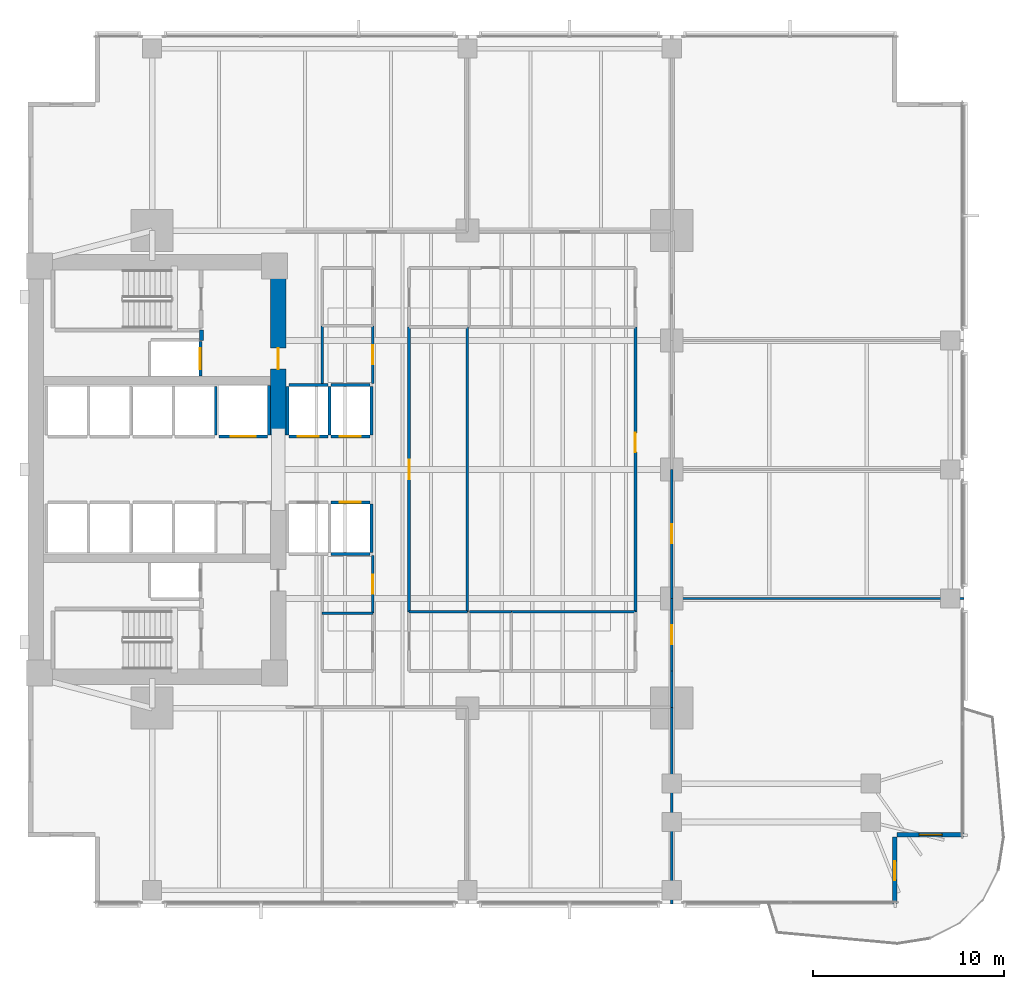
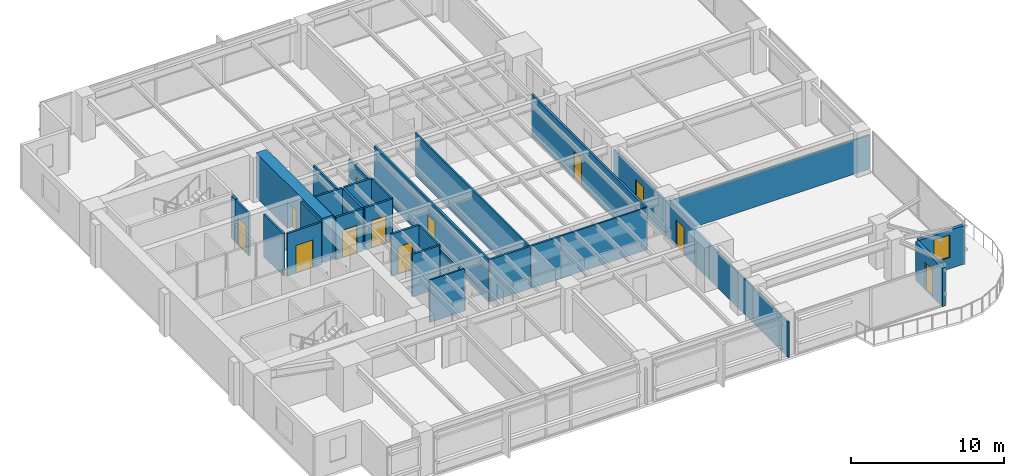
# One storey, part 9 of 15: 33 walls, 13 doors, 1 window, 14 openings.
"""IFC4 building model written with IfcOpenShell, lengths in metres."""

from ifc_helpers import new_model, si_unit, direction, frame, frame_2d, origin, place, context, subcontext, project, spatial, rectangle, extrude, material, layer, layer_set, type_object, element, fill, save


model = new_model("IFC4")

# Units and contexts
model_context = context("Model", 3, precision=1e-05, world=origin(), true_north=direction((0.0, 1.0)))
body_context = subcontext(model_context, "Body", "Model", "MODEL_VIEW")
ifc_project = project(units=[si_unit("LENGTHUNIT", "METRE"), si_unit("AREAUNIT", "SQUARE_METRE"), si_unit("VOLUMEUNIT", "CUBIC_METRE"), si_unit("PLANEANGLEUNIT", "RADIAN"), si_unit("MASSUNIT", "GRAM", prefix="KILO")], contexts=[model_context])

# Site, building, storey
site_placement = place(None, origin())
site = spatial("IfcSite", under=ifc_project, at=site_placement, CompositionType="ELEMENT")
building_placement = place(site_placement, origin())
building = spatial("IfcBuilding", under=site, at=building_placement, Name="Kinhvarn Gate Tower", CompositionType="ELEMENT")
storey_placement = place(building_placement, frame((0.0, 0.0, 29.14990234375)))
storey = spatial("IfcBuildingStorey", under=building, at=storey_placement, Name="L06", CompositionType="ELEMENT", Elevation=29.14990234375)

# Wall, opening, door
ifc_material_1 = material(Name="Concrete C70/85", Category="concrete")
ifc_layer_1 = layer(ifc_material_1, 0.800048828125)
ifc_layer_set_1 = layer_set([ifc_layer_1], Name="Concrete C70/85")
wall_type_1 = type_object("IfcWallType", Name="WL-CORE-800", PredefinedType="SHEAR", material=ifc_layer_set_1)
wall_1_placement = place(storey_placement, frame((17.60009765625, 27.050048828125, 0.0), z_axis=(0.0, 0.0, 1.0), x_axis=(0.0, 1.0, 0.0)))
wall_1 = element("IfcWall", 1, at=wall_1_placement, inside=storey, type_object=wall_type_1, Name="Core East-North Shear Pier L06 800 mm", PredefinedType="SHEAR", context=body_context, shape_type="SweptSolid", body=[
    extrude(rectangle(XDim=8.64990234375, YDim=0.800048828125, at=frame_2d((4.324951171875, 0.0))), origin(), (0.0, 0.0, 1.0), 3.550048828125),
])
opening_1_placement = place(wall_1_placement, frame((3.449951171875, 0.0, 0.0)))
opening_1 = element("IfcOpeningElement", 2, at=opening_1_placement, cuts=wall_1, Name="Opening FD-02", PredefinedType="OPENING", context=body_context, shape_type="SweptSolid", body=[
    extrude(rectangle(XDim=1.10009765625, YDim=2.14990234375, at=frame_2d((0.550048828125, 1.074951171875))), frame((0.0, 0.41015625, 0.0), z_axis=(0.0, -1.0, 0.0), x_axis=(1.0, 0.0, 0.0)), (0.0, 0.0, 1.0), 0.820068359375),
])
ifc_material_2 = material(Name="Anodised aluminium AW-6063", Category="aluminium")
door_type_1 = type_object("IfcDoorType", Name="DR-FD-1100", OperationType="NOTDEFINED", PredefinedType="DOOR", material=ifc_material_2)
door_1_placement = place(opening_1_placement, origin())
door_1 = element("IfcDoor", 3, at=door_1_placement, inside=storey, type_object=door_type_1, Name="Firefighting Lobby Core Door (L06)", OperationType="SINGLE_SWING_LEFT", OverallHeight=2.14990234375, OverallWidth=1.10009765625, PredefinedType="DOOR", context=body_context, shape_type="SweptSolid", body=[
    extrude(rectangle(XDim=1.10009765625, YDim=2.14990234375, at=frame_2d((0.550048828125, 1.074951171875))), frame((0.0, 0.02490234375, 0.0), z_axis=(0.0, -1.0, 0.0), x_axis=(1.0, 0.0, 0.0)), (0.0, 0.0, 1.0), 0.050048828125),
])
fill(opening_1, door_1)

ifc_material_3 = material(Name="Fired architectural terracotta", Category="masonry")
ifc_layer_2 = layer(ifc_material_3, 0.25)
ifc_layer_set_2 = layer_set([ifc_layer_2], Name="Fired architectural terracotta")
wall_type_2 = type_object("IfcWallType", Name="WL-EXT-250", PredefinedType="SOLIDWALL", material=ifc_layer_set_2)
wall_2_placement = place(storey_placement, frame((49.875, 2.5, 0.0), z_axis=(0.0, 0.0, 1.0), x_axis=(0.0, 1.0, 0.0)))
wall_2 = element("IfcWall", 4, at=wall_2_placement, inside=storey, type_object=wall_type_2, Name="Exterior Solidwall Wall EW-250 (L06 SE-Notch-Door)", PredefinedType="SOLIDWALL", context=body_context, shape_type="SweptSolid", body=[
    extrude(rectangle(XDim=3.5, YDim=0.25, at=frame_2d((1.75, 0.0))), origin(), (0.0, 0.0, 1.0), 3.070068359375),
])
opening_2_placement = place(wall_2_placement, frame((1.25, 0.0, 0.0)))
opening_2 = element("IfcOpeningElement", 5, at=opening_2_placement, cuts=wall_2, Name="Opening BD-01", PredefinedType="OPENING", context=body_context, shape_type="SweptSolid", body=[
    extrude(rectangle(XDim=1.0, YDim=2.199951171875, at=frame_2d((0.5, 1.10009765625))), frame((0.0, 0.135009765625, 0.0), z_axis=(0.0, -1.0, 0.0), x_axis=(1.0, 0.0, 0.0)), (0.0, 0.0, 1.0), 0.27001953125),
])
ifc_material_4 = material(Name="Clear low-e double glazing", Category="glass")
door_type_2 = type_object("IfcDoorType", Name="DR-BAL-1000", OperationType="NOTDEFINED", PredefinedType="DOOR", material=ifc_material_4)
door_2_placement = place(opening_2_placement, frame((1.0, 0.0, 0.0), z_axis=(0.0, 0.0, 1.0), x_axis=(-1.0, 0.0, 0.0)))
door_2 = element("IfcDoor", 6, at=door_2_placement, inside=storey, type_object=door_type_2, Name="S-Carve Balcony Door BD-01 (L06)", OperationType="SINGLE_SWING_LEFT", OverallHeight=2.199951171875, OverallWidth=1.0, PredefinedType="DOOR", context=body_context, shape_type="SweptSolid", body=[
    extrude(rectangle(XDim=1.0, YDim=2.199951171875, at=frame_2d((0.5, 1.10009765625))), frame((0.0, 0.02490234375, 0.0), z_axis=(0.0, -1.0, 0.0), x_axis=(1.0, 0.0, 0.0)), (0.0, 0.0, 1.0), 0.050048828125),
])
fill(opening_2, door_2)

# Wall, opening, window
wall_3_placement = place(storey_placement, frame((50.0, 6.125, 0.0), z_axis=(0.0, 0.0, 1.0), x_axis=(1.0, 0.0, 0.0)))
wall_3 = element("IfcWall", 7, at=wall_3_placement, inside=storey, type_object=wall_type_2, Name="Exterior Solidwall Wall EW-250 (L06 SE-Notch-Win)", PredefinedType="SOLIDWALL", context=body_context, shape_type="SweptSolid", body=[
    extrude(rectangle(XDim=3.5, YDim=0.25, at=frame_2d((1.75, 0.0))), origin(), (0.0, 0.0, 1.0), 3.070068359375),
])
opening_3_placement = place(wall_3_placement, frame((1.14990234375, 0.0, 0.89990234375)))
opening_3 = element("IfcOpeningElement", 8, at=opening_3_placement, cuts=wall_3, Name="Opening WN-02", PredefinedType="OPENING", context=body_context, shape_type="SweptSolid", body=[
    extrude(rectangle(XDim=1.199951171875, YDim=1.800048828125, at=frame_2d((0.60009765625, 0.89990234375))), frame((0.0, 0.135009765625, 0.0), z_axis=(0.0, -1.0, 0.0), x_axis=(1.0, 0.0, 0.0)), (0.0, 0.0, 1.0), 0.27001953125),
])
window_type = type_object("IfcWindowType", Name="WIN-NTC-1200", PartitioningType="SINGLE_PANEL", PredefinedType="WINDOW", material=ifc_material_4)
window_placement = place(opening_3_placement, origin())
window = element("IfcWindow", 9, at=window_placement, inside=storey, type_object=window_type, Name="Recessed Corner Notch Punched Window 1200x1800 mm (L06)", OverallHeight=1.800048828125, OverallWidth=1.199951171875, PartitioningType="SINGLE_PANEL", PredefinedType="WINDOW", context=body_context, shape_type="SweptSolid", body=[
    extrude(rectangle(XDim=1.199951171875, YDim=1.800048828125, at=frame_2d((0.60009765625, 0.89990234375))), frame((0.0, 0.030029296875, 0.0), z_axis=(0.0, -1.0, 0.0), x_axis=(1.0, 0.0, 0.0)), (0.0, 0.0, 1.0), 0.06005859375),
])
fill(opening_3, window)

# Walls
ifc_material_5 = material(Name="Gypsum acoustic partition board")
ifc_layer_3 = layer(ifc_material_5, 0.14990234375)
ifc_layer_set_3 = layer_set([ifc_layer_3], Name="Gypsum acoustic partition board")
wall_type_3 = type_object("IfcWallType", Name="WL-PLM-150", PredefinedType="PLUMBINGWALL", material=ifc_layer_set_3)
wall_4_placement = place(storey_placement, frame((24.449951171875, 17.800048828125, 0.0), z_axis=(0.0, 0.0, 1.0), x_axis=(1.0, 0.0, 0.0)))
element("IfcWall", 10, at=wall_4_placement, inside=storey, type_object=wall_type_3, Name="Interior Partition PLW-150 (L06)", PredefinedType="PLUMBINGWALL", context=body_context, shape_type="SweptSolid", body=[
    extrude(rectangle(XDim=3.050048828125, YDim=0.14990234375, at=frame_2d((1.52490234375, 0.0))), origin(), (0.0, 0.0, 1.0), 3.3701171875),
])
wall_5_placement = place(storey_placement, frame((27.60009765625, 17.800048828125, 0.0), z_axis=(0.0, 0.0, 1.0), x_axis=(1.0, 0.0, 0.0)))
element("IfcWall", 11, at=wall_5_placement, inside=storey, type_object=wall_type_3, Name="Interior Partition PLW-150 (L06)", PredefinedType="PLUMBINGWALL", context=body_context, shape_type="SweptSolid", body=[
    extrude(rectangle(XDim=2.199951171875, YDim=0.14990234375, at=frame_2d((1.10009765625, 0.0))), origin(), (0.0, 0.0, 1.0), 3.3701171875),
])
ifc_layer_4 = layer(ifc_material_5, 0.1201171875)
ifc_layer_set_4 = layer_set([ifc_layer_4], Name="Gypsum acoustic partition board")
wall_type_4 = type_object("IfcWallType", Name="WL-PRT-120", PredefinedType="PARTITIONING", material=ifc_layer_set_4)
wall_6_placement = place(storey_placement, frame((19.89990234375, 17.72998046875, 0.0), z_axis=(0.0, 0.0, 1.0), x_axis=(1.0, 0.0, 0.0)))
element("IfcWall", 12, at=wall_6_placement, inside=storey, type_object=wall_type_4, Name="Interior Partition PW-120 (L06)", PredefinedType="PARTITIONING", context=body_context, shape_type="SweptSolid", body=[
    extrude(rectangle(XDim=2.650146484375, YDim=0.1201171875, at=frame_2d((1.3251953125, 0.0))), origin(), (0.0, 0.0, 1.0), 3.3701171875),
])
wall_7_placement = place(storey_placement, frame((29.800048828125, 17.800048828125, 0.0), z_axis=(0.0, 0.0, 1.0), x_axis=(1.0, 0.0, 0.0)))
element("IfcWall", 13, at=wall_7_placement, inside=storey, type_object=wall_type_4, Name="Interior Partition PW-120 (L06)", PredefinedType="PARTITIONING", context=body_context, shape_type="SweptSolid", body=[
    extrude(rectangle(XDim=6.5, YDim=0.1201171875, at=frame_2d((3.25, 0.0))), origin(), (0.0, 0.0, 1.0), 3.3701171875),
])
wall_8_placement = place(storey_placement, frame((27.5, 17.800048828125, 0.0), z_axis=(0.0, 0.0, 1.0), x_axis=(0.0, 1.0, 0.0)))
element("IfcWall", 14, at=wall_8_placement, inside=storey, type_object=wall_type_4, Name="Interior Partition PW-120 (L06)", PredefinedType="PARTITIONING", context=body_context, shape_type="SweptSolid", body=[
    extrude(rectangle(XDim=14.89990234375, YDim=0.1201171875, at=frame_2d((7.449951171875, 0.0))), origin(), (0.0, 0.0, 1.0), 3.3701171875),
])
wall_9_placement = place(storey_placement, frame((38.199951171875, 2.510009765625, 0.0), z_axis=(0.0, 0.0, 1.0), x_axis=(0.0, 1.0, 0.0)))
element("IfcWall", 15, at=wall_9_placement, inside=storey, type_object=wall_type_4, Name="Interior Partition PW-120 (L06)", PredefinedType="PARTITIONING", context=body_context, shape_type="SweptSolid", body=[
    extrude(rectangle(XDim=10.2900390625, YDim=0.1201171875, at=frame_2d((5.14501953125, 0.0))), origin(), (0.0, 0.0, 1.0), 2.820068359375),
])
wall_10_placement = place(storey_placement, frame((38.199951171875, 18.5, 0.0), z_axis=(0.0, 0.0, 1.0), x_axis=(1.0, 0.0, 0.0)))
element("IfcWall", 16, at=wall_10_placement, inside=storey, type_object=wall_type_4, Name="Interior Partition PW-120 (L06)", PredefinedType="PARTITIONING", context=body_context, shape_type="SweptSolid", body=[
    extrude(rectangle(XDim=15.2900390625, YDim=0.1201171875, at=frame_2d((7.64501953125, 0.0))), origin(), (0.0, 0.0, 1.0), 2.72021484375),
])

# Wall, opening, door
ifc_layer_5 = layer(ifc_material_5, 0.14990234375)
ifc_layer_set_5 = layer_set([ifc_layer_5], Name="Gypsum acoustic partition board")
wall_type_5 = type_object("IfcWallType", Name="WL-PRT-150F", PredefinedType="PARTITIONING", material=ifc_layer_set_5)
wall_11_placement = place(storey_placement, frame((22.550048828125, 17.72998046875, 0.0), z_axis=(0.0, 0.0, 1.0), x_axis=(0.0, 1.0, 0.0)))
wall_11 = element("IfcWall", 17, at=wall_11_placement, inside=storey, type_object=wall_type_5, Name="Interior Partition PW-150F (L06)", PredefinedType="PARTITIONING", context=body_context, shape_type="SweptSolid", body=[
    extrude(rectangle(XDim=3.02001953125, YDim=0.14990234375, at=frame_2d((1.510009765625, 0.0))), origin(), (0.0, 0.0, 1.0), 3.010009765625),
])
opening_4_placement = place(wall_11_placement, frame((1.010009765625, 0.0, 0.0)))
opening_4 = element("IfcOpeningElement", 18, at=opening_4_placement, cuts=wall_11, Name="Opening ID-02", PredefinedType="OPENING", context=body_context, shape_type="SweptSolid", body=[
    extrude(rectangle(XDim=1.0, YDim=2.14990234375, at=frame_2d((0.5, 1.074951171875))), frame((0.0, 0.0849609375, 0.0), z_axis=(0.0, -1.0, 0.0), x_axis=(1.0, 0.0, 0.0)), (0.0, 0.0, 1.0), 0.169921875),
])
door_type_3 = type_object("IfcDoorType", Name="DR-INT-1000", OperationType="NOTDEFINED", PredefinedType="DOOR", material=ifc_material_2)
door_3_placement = place(opening_4_placement, origin())
door_3 = element("IfcDoor", 19, at=door_3_placement, inside=storey, type_object=door_type_3, Name="Standard Office & Meeting Room Door 1000x2150 mm (L06)", OperationType="SINGLE_SWING_LEFT", OverallHeight=2.14990234375, OverallWidth=1.0, PredefinedType="DOOR", context=body_context, shape_type="SweptSolid", body=[
    extrude(rectangle(XDim=1.0, YDim=2.14990234375, at=frame_2d((0.5, 1.074951171875))), frame((0.0, 0.02490234375, 0.0), z_axis=(0.0, -1.0, 0.0), x_axis=(1.0, 0.0, 0.0)), (0.0, 0.0, 1.0), 0.050048828125),
])
fill(opening_4, door_3)

wall_12_placement = place(storey_placement, frame((22.550048828125, 29.75, 0.0), z_axis=(0.0, 0.0, 1.0), x_axis=(0.0, 1.0, 0.0)))
wall_12 = element("IfcWall", 20, at=wall_12_placement, inside=storey, type_object=wall_type_5, Name="Interior Partition PW-150F (L06)", PredefinedType="PARTITIONING", context=body_context, shape_type="SweptSolid", body=[
    extrude(rectangle(XDim=3.02001953125, YDim=0.14990234375, at=frame_2d((1.510009765625, 0.0))), origin(), (0.0, 0.0, 1.0), 3.010009765625),
])
opening_5_placement = place(wall_12_placement, frame((1.010009765625, 0.0, 0.0)))
opening_5 = element("IfcOpeningElement", 21, at=opening_5_placement, cuts=wall_12, Name="Opening ID-02", PredefinedType="OPENING", context=body_context, shape_type="SweptSolid", body=[
    extrude(rectangle(XDim=1.0, YDim=2.14990234375, at=frame_2d((0.5, 1.074951171875))), frame((0.0, 0.0849609375, 0.0), z_axis=(0.0, -1.0, 0.0), x_axis=(1.0, 0.0, 0.0)), (0.0, 0.0, 1.0), 0.169921875),
])
door_4_placement = place(opening_5_placement, origin())
door_4 = element("IfcDoor", 22, at=door_4_placement, inside=storey, type_object=door_type_3, Name="Standard Office & Meeting Room Door 1000x2150 mm (L06)", OperationType="SINGLE_SWING_RIGHT", OverallHeight=2.14990234375, OverallWidth=1.0, PredefinedType="DOOR", context=body_context, shape_type="SweptSolid", body=[
    extrude(rectangle(XDim=1.0, YDim=2.14990234375, at=frame_2d((0.5, 1.074951171875))), frame((0.0, 0.02490234375, 0.0), z_axis=(0.0, -1.0, 0.0), x_axis=(1.0, 0.0, 0.0)), (0.0, 0.0, 1.0), 0.050048828125),
])
fill(opening_5, door_4)

wall_13_placement = place(storey_placement, frame((24.449951171875, 17.800048828125, 0.0), z_axis=(0.0, 0.0, 1.0), x_axis=(0.0, 1.0, 0.0)))
wall_13 = element("IfcWall", 23, at=wall_13_placement, inside=storey, type_object=wall_type_5, Name="Interior Partition PW-150F (L06)", PredefinedType="PARTITIONING", context=body_context, shape_type="SweptSolid", body=[
    extrude(rectangle(XDim=14.89990234375, YDim=0.14990234375, at=frame_2d((7.449951171875, 0.0))), origin(), (0.0, 0.0, 1.0), 3.3701171875),
])
opening_6_placement = place(wall_13_placement, frame((6.949951171875, 0.0, 0.0)))
opening_6 = element("IfcOpeningElement", 24, at=opening_6_placement, cuts=wall_13, Name="Opening ID-02", PredefinedType="OPENING", context=body_context, shape_type="SweptSolid", body=[
    extrude(rectangle(XDim=1.0, YDim=2.14990234375, at=frame_2d((0.5, 1.074951171875))), frame((0.0, 0.0849609375, 0.0), z_axis=(0.0, -1.0, 0.0), x_axis=(1.0, 0.0, 0.0)), (0.0, 0.0, 1.0), 0.169921875),
])
door_5_placement = place(opening_6_placement, origin())
door_5 = element("IfcDoor", 25, at=door_5_placement, inside=storey, type_object=door_type_3, Name="Standard Office & Meeting Room Door 1000x2150 mm (L06)", OperationType="SINGLE_SWING_RIGHT", OverallHeight=2.14990234375, OverallWidth=1.0, PredefinedType="DOOR", context=body_context, shape_type="SweptSolid", body=[
    extrude(rectangle(XDim=1.0, YDim=2.14990234375, at=frame_2d((0.5, 1.074951171875))), frame((0.0, 0.02490234375, 0.0), z_axis=(0.0, -1.0, 0.0), x_axis=(1.0, 0.0, 0.0)), (0.0, 0.0, 1.0), 0.050048828125),
])
fill(opening_6, door_5)

# Walls
wall_14_placement = place(storey_placement, frame((19.89990234375, 29.75, 0.0), z_axis=(0.0, 0.0, 1.0), x_axis=(0.0, 1.0, 0.0)))
element("IfcWall", 26, at=wall_14_placement, inside=storey, type_object=wall_type_5, Name="Interior Partition PW-150F (L06)", PredefinedType="PARTITIONING", context=body_context, shape_type="SweptSolid", body=[
    extrude(rectangle(XDim=3.02001953125, YDim=0.14990234375, at=frame_2d((1.510009765625, 0.0))), origin(), (0.0, 0.0, 1.0), 3.3701171875),
])
wall_15_placement = place(storey_placement, frame((38.199951171875, 12.800048828125, 0.0), z_axis=(0.0, 0.0, 1.0), x_axis=(0.0, 1.0, 0.0)))
element("IfcWall", 27, at=wall_15_placement, inside=storey, type_object=wall_type_5, Name="Interior Partition PW-150F (L06)", PredefinedType="PARTITIONING", context=body_context, shape_type="SweptSolid", body=[
    extrude(rectangle(XDim=1.89990234375, YDim=0.14990234375, at=frame_2d((0.949951171875, 0.0))), origin(), (0.0, 0.0, 1.0), 2.820068359375),
])

# Wall, opening, door
wall_16_placement = place(storey_placement, frame((36.300048828125, 17.800048828125, 0.0), z_axis=(0.0, 0.0, 1.0), x_axis=(0.0, 1.0, 0.0)))
wall_16 = element("IfcWall", 28, at=wall_16_placement, inside=storey, type_object=wall_type_5, Name="Interior Partition PW-150F (L06)", PredefinedType="PARTITIONING", context=body_context, shape_type="SweptSolid", body=[
    extrude(rectangle(XDim=14.89990234375, YDim=0.14990234375, at=frame_2d((7.449951171875, 0.0))), origin(), (0.0, 0.0, 1.0), 3.3701171875),
])
opening_7_placement = place(wall_16_placement, frame((8.364013671875, 0.0, 0.0)))
opening_7 = element("IfcOpeningElement", 29, at=opening_7_placement, cuts=wall_16, Name="Opening ID-02", PredefinedType="OPENING", context=body_context, shape_type="SweptSolid", body=[
    extrude(rectangle(XDim=1.0, YDim=2.14990234375, at=frame_2d((0.5, 1.074951171875))), frame((0.0, 0.0849609375, 0.0), z_axis=(0.0, -1.0, 0.0), x_axis=(1.0, 0.0, 0.0)), (0.0, 0.0, 1.0), 0.169921875),
])
door_6_placement = place(opening_7_placement, origin())
door_6 = element("IfcDoor", 30, at=door_6_placement, inside=storey, type_object=door_type_3, Name="Standard Office & Meeting Room Door 1000x2150 mm (L06)", OperationType="SINGLE_SWING_RIGHT", OverallHeight=2.14990234375, OverallWidth=1.0, PredefinedType="DOOR", context=body_context, shape_type="SweptSolid", body=[
    extrude(rectangle(XDim=1.0, YDim=2.14990234375, at=frame_2d((0.5, 1.074951171875))), frame((0.0, 0.02490234375, 0.0), z_axis=(0.0, -1.0, 0.0), x_axis=(1.0, 0.0, 0.0)), (0.0, 0.0, 1.0), 0.050048828125),
])
fill(opening_7, door_6)

wall_17_placement = place(storey_placement, frame((38.199951171875, 14.699951171875, 0.0), z_axis=(0.0, 0.0, 1.0), x_axis=(0.0, 1.0, 0.0)))
wall_17 = element("IfcWall", 31, at=wall_17_placement, inside=storey, type_object=wall_type_5, Name="Interior Partition PW-150F (L06)", PredefinedType="PARTITIONING", context=body_context, shape_type="SweptSolid", body=[
    extrude(rectangle(XDim=3.800048828125, YDim=0.14990234375, at=frame_2d((1.89990234375, 0.0))), origin(), (0.0, 0.0, 1.0), 2.820068359375),
])
opening_8_placement = place(wall_17_placement, frame((1.39990234375, 0.0, 0.0)))
opening_8 = element("IfcOpeningElement", 32, at=opening_8_placement, cuts=wall_17, Name="Opening ID-02", PredefinedType="OPENING", context=body_context, shape_type="SweptSolid", body=[
    extrude(rectangle(XDim=1.0, YDim=2.14990234375, at=frame_2d((0.5, 1.074951171875))), frame((0.0, 0.0849609375, 0.0), z_axis=(0.0, -1.0, 0.0), x_axis=(1.0, 0.0, 0.0)), (0.0, 0.0, 1.0), 0.169921875),
])
door_7_placement = place(opening_8_placement, origin())
door_7 = element("IfcDoor", 33, at=door_7_placement, inside=storey, type_object=door_type_3, Name="Standard Office & Meeting Room Door 1000x2150 mm (L06)", OperationType="SINGLE_SWING_LEFT", OverallHeight=2.14990234375, OverallWidth=1.0, PredefinedType="DOOR", context=body_context, shape_type="SweptSolid", body=[
    extrude(rectangle(XDim=1.0, YDim=2.14990234375, at=frame_2d((0.5, 1.074951171875))), frame((0.0, 0.02490234375, 0.0), z_axis=(0.0, -1.0, 0.0), x_axis=(1.0, 0.0, 0.0)), (0.0, 0.0, 1.0), 0.050048828125),
])
fill(opening_8, door_7)

wall_18_placement = place(storey_placement, frame((38.199951171875, 18.5, 0.0), z_axis=(0.0, 0.0, 1.0), x_axis=(0.0, 1.0, 0.0)))
wall_18 = element("IfcWall", 34, at=wall_18_placement, inside=storey, type_object=wall_type_5, Name="Interior Partition PW-150F (L06)", PredefinedType="PARTITIONING", context=body_context, shape_type="SweptSolid", body=[
    extrude(rectangle(XDim=6.75, YDim=0.14990234375, at=frame_2d((3.375, 0.0))), origin(), (0.0, 0.0, 1.0), 2.820068359375),
])
opening_9_placement = place(wall_18_placement, frame((2.875, 0.0, 0.0)))
opening_9 = element("IfcOpeningElement", 35, at=opening_9_placement, cuts=wall_18, Name="Opening ID-02", PredefinedType="OPENING", context=body_context, shape_type="SweptSolid", body=[
    extrude(rectangle(XDim=1.0, YDim=2.14990234375, at=frame_2d((0.5, 1.074951171875))), frame((0.0, 0.0849609375, 0.0), z_axis=(0.0, -1.0, 0.0), x_axis=(1.0, 0.0, 0.0)), (0.0, 0.0, 1.0), 0.169921875),
])
door_8_placement = place(opening_9_placement, origin())
door_8 = element("IfcDoor", 36, at=door_8_placement, inside=storey, type_object=door_type_3, Name="Standard Office & Meeting Room Door 1000x2150 mm (L06)", OperationType="SINGLE_SWING_RIGHT", OverallHeight=2.14990234375, OverallWidth=1.0, PredefinedType="DOOR", context=body_context, shape_type="SweptSolid", body=[
    extrude(rectangle(XDim=1.0, YDim=2.14990234375, at=frame_2d((0.5, 1.074951171875))), frame((0.0, 0.02490234375, 0.0), z_axis=(0.0, -1.0, 0.0), x_axis=(1.0, 0.0, 0.0)), (0.0, 0.0, 1.0), 0.050048828125),
])
fill(opening_9, door_8)

# Walls
ifc_layer_6 = layer(ifc_material_5, 0.199951171875)
ifc_layer_set_6 = layer_set([ifc_layer_6], Name="Gypsum acoustic partition board")
wall_type_6 = type_object("IfcWallType", Name="WL-PRT-200", PredefinedType="PARTITIONING", material=ifc_layer_set_6)
wall_19_placement = place(storey_placement, frame((13.580078125, 32.0, 0.0), z_axis=(0.0, 0.0, 1.0), x_axis=(0.0, 1.0, 0.0)))
element("IfcWall", 37, at=wall_19_placement, inside=storey, type_object=wall_type_6, Name="Interior Partition PW-200 (L06)", PredefinedType="PARTITIONING", context=body_context, shape_type="SweptSolid", body=[
    extrude(rectangle(XDim=0.5400390625, YDim=0.199951171875, at=frame_2d((0.27001953125, 0.0))), origin(), (0.0, 0.0, 1.0), 3.3701171875),
])
ifc_layer_7 = layer(ifc_material_5, 0.14990234375)
ifc_layer_set_7 = layer_set([ifc_layer_7], Name="Gypsum acoustic partition board")
wall_type_7 = type_object("IfcWallType", Name="WL-SHF-150", PredefinedType="PARTITIONING", material=ifc_layer_set_7)
wall_20_placement = place(storey_placement, frame((20.35009765625, 20.824951171875, 0.0), z_axis=(0.0, 0.0, 1.0), x_axis=(1.0, 0.0, 0.0)))
element("IfcWall", 38, at=wall_20_placement, inside=storey, type_object=wall_type_7, Name="Elevator PL-02 Hoistway Wall S (L06)", PredefinedType="PARTITIONING", context=body_context, shape_type="SweptSolid", body=[
    extrude(rectangle(XDim=2.0498046875, YDim=0.14990234375, at=frame_2d((1.02490234375, 0.0))), origin(), (0.0, 0.0, 1.0), 3.3701171875),
])

# Wall, opening, door
wall_21_placement = place(storey_placement, frame((20.35009765625, 23.52490234375, 0.0), z_axis=(0.0, 0.0, 1.0), x_axis=(1.0, 0.0, 0.0)))
wall_21 = element("IfcWall", 39, at=wall_21_placement, inside=storey, type_object=wall_type_7, Name="Elevator PL-02 Landing Wall (L06)", PredefinedType="PARTITIONING", context=body_context, shape_type="SweptSolid", body=[
    extrude(rectangle(XDim=2.0498046875, YDim=0.14990234375, at=frame_2d((1.02490234375, 0.0))), origin(), (0.0, 0.0, 1.0), 3.3701171875),
])
opening_10_placement = place(wall_21_placement, frame((0.47509765625, 0.0, 0.0)))
opening_10 = element("IfcOpeningElement", 40, at=opening_10_placement, cuts=wall_21, Name="Opening LD-01", PredefinedType="OPENING", context=body_context, shape_type="SweptSolid", body=[
    extrude(rectangle(XDim=1.10009765625, YDim=2.199951171875, at=frame_2d((0.550048828125, 1.10009765625))), frame((0.0, 0.0849609375, 0.0), z_axis=(0.0, -1.0, 0.0), x_axis=(1.0, 0.0, 0.0)), (0.0, 0.0, 1.0), 0.169921875),
])
door_type_4 = type_object("IfcDoorType", Name="DR-LND-PAS", OperationType="NOTDEFINED", PredefinedType="DOOR", material=ifc_material_2)
door_9_placement = place(opening_10_placement, origin())
door_9 = element("IfcDoor", 41, at=door_9_placement, inside=storey, type_object=door_type_4, Name="Elevator PL-02 Sliding Landing Door (L06)", OperationType="DOUBLE_DOOR_SLIDING", OverallHeight=2.199951171875, OverallWidth=1.10009765625, PredefinedType="DOOR", context=body_context, shape_type="SweptSolid", body=[
    extrude(rectangle(XDim=1.10009765625, YDim=2.199951171875, at=frame_2d((0.550048828125, 1.10009765625))), frame((0.0, 0.02490234375, 0.0), z_axis=(0.0, -1.0, 0.0), x_axis=(1.0, 0.0, 0.0)), (0.0, 0.0, 1.0), 0.050048828125),
])
fill(opening_10, door_9)

# Wall
wall_22_placement = place(storey_placement, frame((22.47509765625, 20.89990234375, 0.0), z_axis=(0.0, 0.0, 1.0), x_axis=(0.0, 1.0, 0.0)))
element("IfcWall", 42, at=wall_22_placement, inside=storey, type_object=wall_type_7, Name="Elevator PL-02 Hoistway Wall E (L06)", PredefinedType="PARTITIONING", context=body_context, shape_type="SweptSolid", body=[
    extrude(rectangle(XDim=2.550048828125, YDim=0.14990234375, at=frame_2d((1.27490234375, 0.0))), origin(), (0.0, 0.0, 1.0), 3.3701171875),
])

# Wall, opening, door
wall_23_placement = place(storey_placement, frame((18.14990234375, 26.97509765625, 0.0), z_axis=(0.0, 0.0, 1.0), x_axis=(1.0, 0.0, 0.0)))
wall_23 = element("IfcWall", 43, at=wall_23_placement, inside=storey, type_object=wall_type_7, Name="Elevator PL-03 Landing Wall (L06)", PredefinedType="PARTITIONING", context=body_context, shape_type="SweptSolid", body=[
    extrude(rectangle(XDim=2.050048828125, YDim=0.14990234375, at=frame_2d((1.02490234375, 0.0))), origin(), (0.0, 0.0, 1.0), 3.3701171875),
])
opening_11_placement = place(wall_23_placement, frame((0.47509765625, 0.0, 0.0)))
opening_11 = element("IfcOpeningElement", 44, at=opening_11_placement, cuts=wall_23, Name="Opening LD-01", PredefinedType="OPENING", context=body_context, shape_type="SweptSolid", body=[
    extrude(rectangle(XDim=1.10009765625, YDim=2.199951171875, at=frame_2d((0.550048828125, 1.10009765625))), frame((0.0, 0.0849609375, 0.0), z_axis=(0.0, -1.0, 0.0), x_axis=(1.0, 0.0, 0.0)), (0.0, 0.0, 1.0), 0.169921875),
])
door_10_placement = place(opening_11_placement, origin())
door_10 = element("IfcDoor", 45, at=door_10_placement, inside=storey, type_object=door_type_4, Name="Elevator PL-03 Sliding Landing Door (L06)", OperationType="DOUBLE_DOOR_SLIDING", OverallHeight=2.199951171875, OverallWidth=1.10009765625, PredefinedType="DOOR", context=body_context, shape_type="SweptSolid", body=[
    extrude(rectangle(XDim=1.10009765625, YDim=2.199951171875, at=frame_2d((0.550048828125, 1.10009765625))), frame((0.0, 0.02490234375, 0.0), z_axis=(0.0, -1.0, 0.0), x_axis=(1.0, 0.0, 0.0)), (0.0, 0.0, 1.0), 0.050048828125),
])
fill(opening_11, door_10)

# Walls
wall_24_placement = place(storey_placement, frame((18.14990234375, 29.675048828125, 0.0), z_axis=(0.0, 0.0, 1.0), x_axis=(1.0, 0.0, 0.0)))
element("IfcWall", 46, at=wall_24_placement, inside=storey, type_object=wall_type_7, Name="Elevator PL-03 Hoistway Wall N (L06)", PredefinedType="PARTITIONING", context=body_context, shape_type="SweptSolid", body=[
    extrude(rectangle(XDim=2.050048828125, YDim=0.14990234375, at=frame_2d((1.02490234375, 0.0))), origin(), (0.0, 0.0, 1.0), 3.3701171875),
])
for number, where, z_axis, x_axis, name in (
    (47, (18.074951171875, 27.050048828125, 0.0), (0.0, 0.0, 1.0), (0.0, 1.0, 0.0), "Elevator PL-03 Hoistway Wall W (L06)"),
    (48, (20.27490234375, 27.050048828125, 0.0), (0.0, 0.0, 1.0), (0.0, 1.0, 0.0), "Elevator PL-03 Hoistway Wall E (L06)"),
):
    element("IfcWall", number, at=place(storey_placement, frame(where, z_axis=z_axis, x_axis=x_axis)), inside=storey, type_object=wall_type_7, Name=name, PredefinedType="PARTITIONING", context=body_context, shape_type="SweptSolid", body=[
        extrude(rectangle(XDim=2.550048828125, YDim=0.14990234375, at=frame_2d((1.27490234375, 0.0))), origin(), (0.0, 0.0, 1.0), 3.3701171875),
    ])

# Wall, opening, door
wall_25_placement = place(storey_placement, frame((20.35009765625, 26.97509765625, 0.0), z_axis=(0.0, 0.0, 1.0), x_axis=(1.0, 0.0, 0.0)))
wall_25 = element("IfcWall", 49, at=wall_25_placement, inside=storey, type_object=wall_type_7, Name="Elevator PL-04 Landing Wall (L06)", PredefinedType="PARTITIONING", context=body_context, shape_type="SweptSolid", body=[
    extrude(rectangle(XDim=2.0498046875, YDim=0.14990234375, at=frame_2d((1.02490234375, 0.0))), origin(), (0.0, 0.0, 1.0), 3.3701171875),
])
opening_12_placement = place(wall_25_placement, frame((0.47509765625, 0.0, 0.0)))
opening_12 = element("IfcOpeningElement", 50, at=opening_12_placement, cuts=wall_25, Name="Opening LD-01", PredefinedType="OPENING", context=body_context, shape_type="SweptSolid", body=[
    extrude(rectangle(XDim=1.10009765625, YDim=2.199951171875, at=frame_2d((0.550048828125, 1.10009765625))), frame((0.0, 0.0849609375, 0.0), z_axis=(0.0, -1.0, 0.0), x_axis=(1.0, 0.0, 0.0)), (0.0, 0.0, 1.0), 0.169921875),
])
door_11_placement = place(opening_12_placement, origin())
door_11 = element("IfcDoor", 51, at=door_11_placement, inside=storey, type_object=door_type_4, Name="Elevator PL-04 Sliding Landing Door (L06)", OperationType="DOUBLE_DOOR_SLIDING", OverallHeight=2.199951171875, OverallWidth=1.10009765625, PredefinedType="DOOR", context=body_context, shape_type="SweptSolid", body=[
    extrude(rectangle(XDim=1.10009765625, YDim=2.199951171875, at=frame_2d((0.550048828125, 1.10009765625))), frame((0.0, 0.02490234375, 0.0), z_axis=(0.0, -1.0, 0.0), x_axis=(1.0, 0.0, 0.0)), (0.0, 0.0, 1.0), 0.050048828125),
])
fill(opening_12, door_11)

# Walls
wall_26_placement = place(storey_placement, frame((20.35009765625, 29.675048828125, 0.0), z_axis=(0.0, 0.0, 1.0), x_axis=(1.0, 0.0, 0.0)))
element("IfcWall", 52, at=wall_26_placement, inside=storey, type_object=wall_type_7, Name="Elevator PL-04 Hoistway Wall N (L06)", PredefinedType="PARTITIONING", context=body_context, shape_type="SweptSolid", body=[
    extrude(rectangle(XDim=2.0498046875, YDim=0.14990234375, at=frame_2d((1.02490234375, 0.0))), origin(), (0.0, 0.0, 1.0), 3.3701171875),
])
for number, where, z_axis, x_axis, name in (
    (53, (22.47509765625, 27.050048828125, 0.0), (0.0, 0.0, 1.0), (0.0, 1.0, 0.0), "Elevator PL-04 Hoistway Wall E (L06)"),
    (54, (14.324951171875, 27.050048828125, 0.0), (0.0, 0.0, 1.0), (0.0, 1.0, 0.0), "Elevator PH-12 Hoistway Wall E (L06)"),
):
    element("IfcWall", number, at=place(storey_placement, frame(where, z_axis=z_axis, x_axis=x_axis)), inside=storey, type_object=wall_type_7, Name=name, PredefinedType="PARTITIONING", context=body_context, shape_type="SweptSolid", body=[
        extrude(rectangle(XDim=2.550048828125, YDim=0.14990234375, at=frame_2d((1.27490234375, 0.0))), origin(), (0.0, 0.0, 1.0), 3.3701171875),
    ])

# Wall, opening, door
wall_27_placement = place(storey_placement, frame((14.5, 26.97509765625, 0.0), z_axis=(0.0, 0.0, 1.0), x_axis=(1.0, 0.0, 0.0)))
wall_27 = element("IfcWall", 55, at=wall_27_placement, inside=storey, type_object=wall_type_7, Name="Elevator SV-01 Landing Wall (L06)", PredefinedType="PARTITIONING", context=body_context, shape_type="SweptSolid", body=[
    extrude(rectangle(XDim=2.550048828125, YDim=0.14990234375, at=frame_2d((1.27490234375, 0.0))), origin(), (0.0, 0.0, 1.0), 3.3701171875),
])
opening_13_placement = place(wall_27_placement, frame((0.625, 0.0, 0.0)))
opening_13 = element("IfcOpeningElement", 56, at=opening_13_placement, cuts=wall_27, Name="Opening LD-02", PredefinedType="OPENING", context=body_context, shape_type="SweptSolid", body=[
    extrude(rectangle(XDim=1.300048828125, YDim=2.199951171875, at=frame_2d((0.64990234375, 1.10009765625))), frame((0.0, 0.0849609375, 0.0), z_axis=(0.0, -1.0, 0.0), x_axis=(1.0, 0.0, 0.0)), (0.0, 0.0, 1.0), 0.169921875),
])
door_type_5 = type_object("IfcDoorType", Name="DR-LND-SRV", OperationType="NOTDEFINED", PredefinedType="DOOR", material=ifc_material_2)
door_12_placement = place(opening_13_placement, origin())
door_12 = element("IfcDoor", 57, at=door_12_placement, inside=storey, type_object=door_type_5, Name="Elevator SV-01 Sliding Landing Door (L06)", OperationType="DOUBLE_DOOR_SLIDING", OverallHeight=2.199951171875, OverallWidth=1.300048828125, PredefinedType="DOOR", context=body_context, shape_type="SweptSolid", body=[
    extrude(rectangle(XDim=1.300048828125, YDim=2.199951171875, at=frame_2d((0.64990234375, 1.10009765625))), frame((0.0, 0.02490234375, 0.0), z_axis=(0.0, -1.0, 0.0), x_axis=(1.0, 0.0, 0.0)), (0.0, 0.0, 1.0), 0.050048828125),
])
fill(opening_13, door_12)

# Wall
wall_28_placement = place(storey_placement, frame((17.125, 27.050048828125, 0.0), z_axis=(0.0, 0.0, 1.0), x_axis=(0.0, 1.0, 0.0)))
element("IfcWall", 58, at=wall_28_placement, inside=storey, type_object=wall_type_7, Name="Elevator SV-01 Hoistway Wall E (L06)", PredefinedType="PARTITIONING", context=body_context, shape_type="SweptSolid", body=[
    extrude(rectangle(XDim=2.599853515625, YDim=0.14990234375, at=frame_2d((1.2998046875, 0.0))), origin(), (0.0, 0.0, 1.0), 3.3701171875),
])

# Wall, opening, door
wall_29_placement = place(storey_placement, frame((13.52490234375, 30.14990234375, 0.0), z_axis=(0.0, 0.0, 1.0), x_axis=(0.0, 1.0, 0.0)))
wall_29 = element("IfcWall", 59, at=wall_29_placement, inside=storey, type_object=wall_type_7, Name="Elevator FF2 Landing Wall (L06)", PredefinedType="PARTITIONING", context=body_context, shape_type="SweptSolid", body=[
    extrude(rectangle(XDim=1.800048828125, YDim=0.14990234375, at=frame_2d((0.89990234375, 0.0))), origin(), (0.0, 0.0, 1.0), 3.3701171875),
])
opening_14_placement = place(wall_29_placement, frame((0.35009765625, 0.0, 0.0)))
opening_14 = element("IfcOpeningElement", 60, at=opening_14_placement, cuts=wall_29, Name="Opening LD-03", PredefinedType="OPENING", context=body_context, shape_type="SweptSolid", body=[
    extrude(rectangle(XDim=1.10009765625, YDim=2.199951171875, at=frame_2d((0.550048828125, 1.10009765625))), frame((0.0, 0.0849609375, 0.0), z_axis=(0.0, -1.0, 0.0), x_axis=(1.0, 0.0, 0.0)), (0.0, 0.0, 1.0), 0.169921875),
])
door_type_6 = type_object("IfcDoorType", Name="DR-LND-FF", OperationType="NOTDEFINED", PredefinedType="DOOR", material=ifc_material_2)
door_13_placement = place(opening_14_placement, origin())
door_13 = element("IfcDoor", 61, at=door_13_placement, inside=storey, type_object=door_type_6, Name="Elevator FF2 Sliding Landing Door (L06)", OperationType="DOUBLE_DOOR_SLIDING", OverallHeight=2.199951171875, OverallWidth=1.10009765625, PredefinedType="DOOR", context=body_context, shape_type="SweptSolid", body=[
    extrude(rectangle(XDim=1.10009765625, YDim=2.199951171875, at=frame_2d((0.550048828125, 1.10009765625))), frame((0.0, 0.02490234375, 0.0), z_axis=(0.0, -1.0, 0.0), x_axis=(1.0, 0.0, 0.0)), (0.0, 0.0, 1.0), 0.050048828125),
])
fill(opening_14, door_13)

save(model, "model.ifc")
